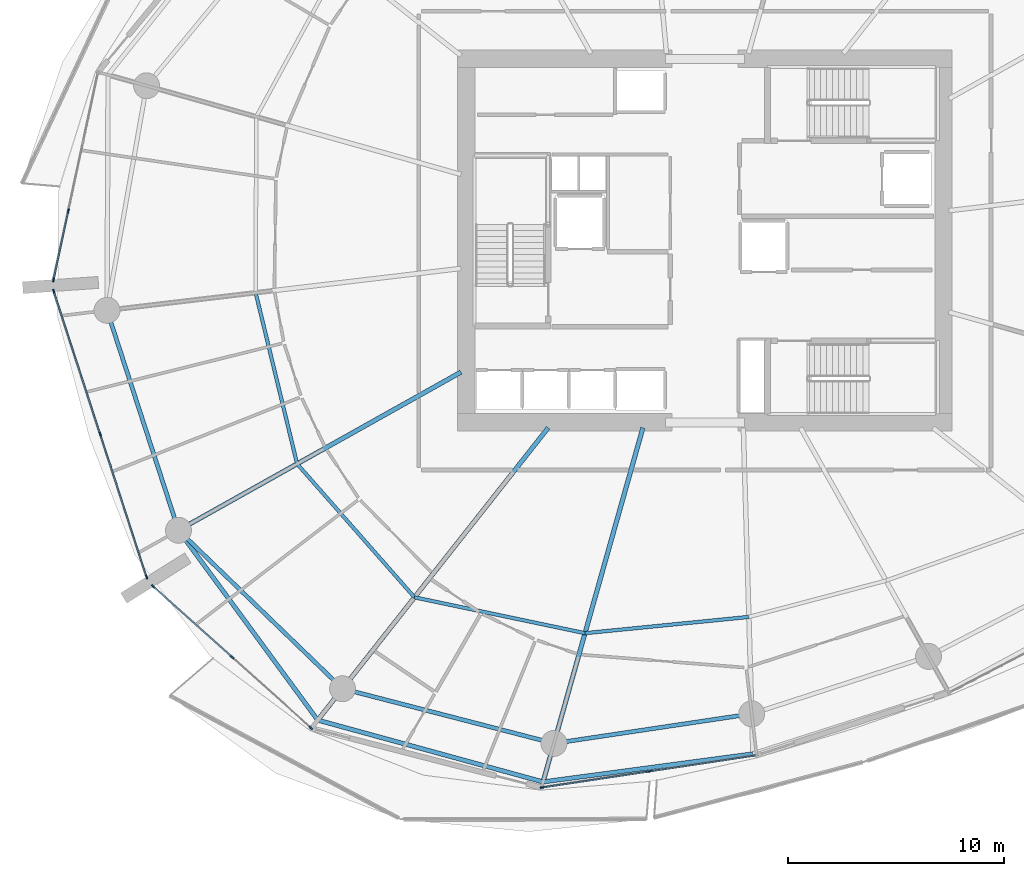
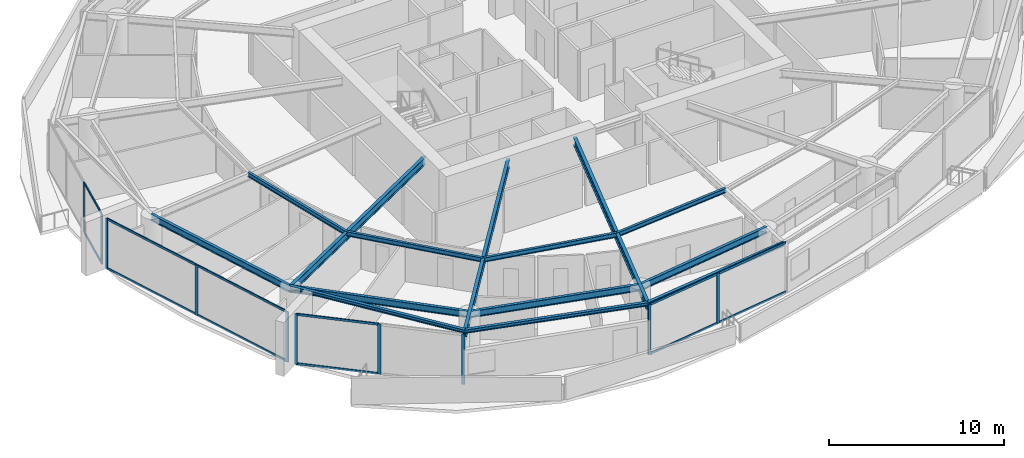
# One storey, part 5 of 22: 22 members, 14 beams, 4 elements without a shape of their own.
"""IFC4 building model written with IfcOpenShell, lengths in metres."""

from ifc_helpers import new_model, si_unit, direction, frame, origin, origin_2d, place, context, subcontext, project, spatial, rectangle, i_section, extrude, material, layer, layer_set, material_profile, profile_set, type_object, element, aggregate, save


model = new_model("IFC4")

# Units and contexts
model_context = context("Model", 3, precision=1e-05, world=origin(), true_north=direction((0.0, 1.0)))
body_context = subcontext(model_context, "Body", "Model", "MODEL_VIEW")
ifc_project = project(units=[si_unit("LENGTHUNIT", "METRE"), si_unit("AREAUNIT", "SQUARE_METRE"), si_unit("VOLUMEUNIT", "CUBIC_METRE"), si_unit("PLANEANGLEUNIT", "RADIAN"), si_unit("MASSUNIT", "GRAM", prefix="KILO")], contexts=[model_context])

# Site, building, storey
site_placement = place(None, origin())
site = spatial("IfcSite", under=ifc_project, at=site_placement, CompositionType="ELEMENT")
building_placement = place(site_placement, origin())
building = spatial("IfcBuilding", under=site, at=building_placement, Name="Kazma Halo Residences", CompositionType="ELEMENT")
storey_placement = place(building_placement, frame((0.0, 0.0, 90.14990234375)))
storey = spatial("IfcBuildingStorey", under=building, at=storey_placement, Name="L22", CompositionType="ELEMENT", Elevation=90.14990234375)

# Beams
ifc_material_1 = material(Name="Steel S355", Category="steel")
ifc_material_profile_1 = material_profile(ifc_material_1, i_section(OverallWidth=0.201904296875, OverallDepth=0.2470703125, WebThickness=0.00732421875, FlangeThickness=0.010986328125, FilletRadius=0.011962890625, at=origin_2d()), Name="W250x49.1")
ifc_profile_set_1 = profile_set([ifc_material_profile_1], Name="Steel S355")
beam_type_1 = type_object("IfcBeamType", Name="BM-BAL-CANT", PredefinedType="BEAM", material=ifc_profile_set_1)
beam_1_placement = place(storey_placement, frame((24.0966796875, 28.613525390625, 3.376708984375), z_axis=(0.59144927253, -0.806342209005, 0.0), x_axis=(0.806342209005, 0.59144927253, 0.0)))
element("IfcBeam", 1, at=beam_1_placement, inside=storey, type_object=beam_type_1, Name="L22 wave-balcony lead tie beam 09", PredefinedType="BEAM", context=body_context, shape_type="SweptSolid", body=[
    extrude(i_section(OverallWidth=0.201904296875, OverallDepth=0.2470703125, WebThickness=0.00732421875, FlangeThickness=0.010986328125, FilletRadius=0.011962890625, at=origin_2d()), origin(), (0.0, 0.0, 1.0), 10.87939453125),
])
beam_2_placement = place(storey_placement, frame((30.53125, 19.841064453125, 3.376708984375), z_axis=(0.964396617, -0.264460139, 0.0), x_axis=(0.264460139, 0.964396617, 0.0)))
element("IfcBeam", 2, at=beam_2_placement, inside=storey, type_object=beam_type_1, Name="L22 wave-balcony tie beam 10", PredefinedType="BEAM", context=body_context, shape_type="SweptSolid", body=[
    extrude(i_section(OverallWidth=0.201904296875, OverallDepth=0.2470703125, WebThickness=0.00732421875, FlangeThickness=0.010986328125, FilletRadius=0.011962890625, at=origin_2d()), origin(), (0.0, 0.0, 1.0), 10.79833984375),
])
beam_3_placement = place(storey_placement, frame((40.945068359375, 16.9853515625, 3.376708984375), z_axis=(0.991182511795, 0.13250369169, 0.0), x_axis=(-0.13250369169, 0.991182511795, 0.0)))
element("IfcBeam", 3, at=beam_3_placement, inside=storey, type_object=beam_type_1, Name="L22 wave-balcony tie beam 11", PredefinedType="BEAM", context=body_context, shape_type="SweptSolid", body=[
    extrude(i_section(OverallWidth=0.201904296875, OverallDepth=0.2470703125, WebThickness=0.00732421875, FlangeThickness=0.010986328125, FilletRadius=0.011962890625, at=origin_2d()), origin(), (0.0, 0.0, 1.0), 9.78369140625),
])
ifc_material_profile_2 = material_profile(ifc_material_1, i_section(OverallWidth=0.208984375, OverallDepth=0.532958984375, WebThickness=0.01025390625, FlangeThickness=0.015625, FilletRadius=0.01611328125, at=origin_2d()), Name="W530x92")
ifc_profile_set_2 = profile_set([ifc_material_profile_2], Name="Steel S355")
beam_type_2 = type_object("IfcBeamType", Name="BM-RAD-W530", PredefinedType="BEAM", material=ifc_profile_set_2)
beam_4_placement = place(storey_placement, frame((37.14990234375, 35.923583984375, 3.233642578125), z_axis=(-0.87249878074, -0.488616288724, 0.0), x_axis=(0.488616288724, -0.87249878074, 0.0)))
element("IfcBeam", 4, at=beam_4_placement, inside=storey, type_object=beam_type_2, Name="L22 radial floor beam 09", PredefinedType="BEAM", context=body_context, shape_type="SweptSolid", body=[
    extrude(i_section(OverallWidth=0.208984375, OverallDepth=0.532958984375, WebThickness=0.01025390625, FlangeThickness=0.015625, FilletRadius=0.01611328125, at=origin_2d()), origin(), (0.0, 0.0, 1.0), 14.960693359375),
])
beam_5_placement = place(storey_placement, frame((41.180908203125, 33.35009765625, 3.233642578125), z_axis=(-0.619093774822, -0.785317068436, 0.0), x_axis=(0.785317068436, -0.619093774822, 0.0)))
element("IfcBeam", 5, at=beam_5_placement, inside=storey, type_object=beam_type_2, Name="L22 radial floor beam 10", PredefinedType="BEAM", context=body_context, shape_type="SweptSolid", body=[
    extrude(i_section(OverallWidth=0.208984375, OverallDepth=0.532958984375, WebThickness=0.01025390625, FlangeThickness=0.015625, FilletRadius=0.01611328125, at=origin_2d()), origin(), (0.0, 0.0, 1.0), 17.201904296875),
])
beam_6_placement = place(storey_placement, frame((45.560302734375, 33.35009765625, 3.233642578125), z_axis=(-0.271434928076, -0.962456793742, 0.0), x_axis=(0.962456793742, -0.271434928076, 0.0)))
element("IfcBeam", 6, at=beam_6_placement, inside=storey, type_object=beam_type_2, Name="L22 radial floor beam 11", PredefinedType="BEAM", context=body_context, shape_type="SweptSolid", body=[
    extrude(i_section(OverallWidth=0.208984375, OverallDepth=0.532958984375, WebThickness=0.01025390625, FlangeThickness=0.015625, FilletRadius=0.01611328125, at=origin_2d()), origin(), (0.0, 0.0, 1.0), 17.003173828125),
])
ifc_material_profile_3 = material_profile(ifc_material_1, i_section(OverallWidth=0.1650390625, OverallDepth=0.31005859375, WebThickness=0.005859375, FlangeThickness=0.009765625, FilletRadius=0.011962890625, at=origin_2d()), Name="W310x38.7")
ifc_profile_set_3 = profile_set([ifc_material_profile_3], Name="Steel S355")
beam_type_3 = type_object("IfcBeamType", Name="BM-SEC-W310B", PredefinedType="JOIST", material=ifc_profile_set_3)
beam_7_placement = place(storey_placement, frame((27.6630859375, 39.593017578125, 3.34521484375), z_axis=(0.235442033286, -0.971888393264, 0.0), x_axis=(0.971888393264, 0.235442033286, 0.0)))
element("IfcBeam", 7, at=beam_7_placement, inside=storey, type_object=beam_type_3, Name="L22 circumferential floor joist 08", PredefinedType="JOIST", context=body_context, shape_type="SweptSolid", body=[
    extrude(i_section(OverallWidth=0.1650390625, OverallDepth=0.31005859375, WebThickness=0.005859375, FlangeThickness=0.009765625, FilletRadius=0.011962890625, at=origin_2d()), origin(), (0.0, 0.0, 1.0), 8.137939453125),
])
beam_8_placement = place(storey_placement, frame((29.5791015625, 31.683837890625, 3.34521484375), z_axis=(0.660379309564, -0.750932199003, 0.0), x_axis=(0.750932199003, 0.660379309564, 0.0)))
element("IfcBeam", 8, at=beam_8_placement, inside=storey, type_object=beam_type_3, Name="L22 circumferential floor joist 09", PredefinedType="JOIST", context=body_context, shape_type="SweptSolid", body=[
    extrude(i_section(OverallWidth=0.1650390625, OverallDepth=0.31005859375, WebThickness=0.005859375, FlangeThickness=0.009765625, FilletRadius=0.011962890625, at=origin_2d()), origin(), (0.0, 0.0, 1.0), 8.215087890625),
])
beam_9_placement = place(storey_placement, frame((35.004150390625, 25.514892578125, 3.34521484375), z_axis=(0.978607976751, -0.205733876255, 0.0), x_axis=(0.205733876255, 0.978607976751, 0.0)))
element("IfcBeam", 9, at=beam_9_placement, inside=storey, type_object=beam_type_3, Name="L22 circumferential floor joist 10", PredefinedType="JOIST", context=body_context, shape_type="SweptSolid", body=[
    extrude(i_section(OverallWidth=0.1650390625, OverallDepth=0.31005859375, WebThickness=0.005859375, FlangeThickness=0.009765625, FilletRadius=0.011962890625, at=origin_2d()), origin(), (0.0, 0.0, 1.0), 8.051513671875),
])
beam_10_placement = place(storey_placement, frame((42.883544921875, 23.8583984375, 3.34521484375), z_axis=(0.995106821048, 0.098804932586, 0.0), x_axis=(-0.098804932586, 0.995106821048, 0.0)))
element("IfcBeam", 10, at=beam_10_placement, inside=storey, type_object=beam_type_3, Name="L22 circumferential floor joist 11", PredefinedType="JOIST", context=body_context, shape_type="SweptSolid", body=[
    extrude(i_section(OverallWidth=0.1650390625, OverallDepth=0.31005859375, WebThickness=0.005859375, FlangeThickness=0.009765625, FilletRadius=0.011962890625, at=origin_2d()), origin(), (0.0, 0.0, 1.0), 7.610595703125),
])
ifc_material_profile_4 = material_profile(ifc_material_1, i_section(OverallWidth=0.18994140625, OverallDepth=0.45703125, WebThickness=0.009033203125, FlangeThickness=0.014404296875, FilletRadius=0.01611328125, at=origin_2d()), Name="W460x74")
ifc_profile_set_4 = profile_set([ifc_material_profile_4], Name="Steel S355")
beam_type_4 = type_object("IfcBeamType", Name="BM-SPN-W460", PredefinedType="BEAM", material=ifc_profile_set_4)
beam_11_placement = place(storey_placement, frame((20.79345703125, 38.77978515625, 3.271484375), z_axis=(0.309017385422, -0.951056389236, 0.0), x_axis=(0.951056389236, 0.309017385422, 0.0)))
element("IfcBeam", 11, at=beam_11_placement, inside=storey, type_object=beam_type_4, Name="L22 perimeter ring beam 08", PredefinedType="BEAM", context=body_context, shape_type="SweptSolid", body=[
    extrude(i_section(OverallWidth=0.18994140625, OverallDepth=0.45703125, WebThickness=0.009033203125, FlangeThickness=0.014404296875, FilletRadius=0.01611328125, at=origin_2d()), origin(), (0.0, 0.0, 1.0), 10.689453125),
])
beam_12_placement = place(storey_placement, frame((24.0966796875, 28.613525390625, 3.271484375), z_axis=(0.719336783114, -0.694661494873, 0.0), x_axis=(0.694661494873, 0.719336783114, 0.0)))
element("IfcBeam", 12, at=beam_12_placement, inside=storey, type_object=beam_type_4, Name="L22 perimeter ring beam 09", PredefinedType="BEAM", context=body_context, shape_type="SweptSolid", body=[
    extrude(i_section(OverallWidth=0.18994140625, OverallDepth=0.45703125, WebThickness=0.009033203125, FlangeThickness=0.014404296875, FilletRadius=0.01611328125, at=origin_2d()), origin(), (0.0, 0.0, 1.0), 10.537353515625),
])
beam_13_placement = place(storey_placement, frame((31.676513671875, 21.293701171875, 3.271484375), z_axis=(0.968124968683, -0.250467652626, 0.0), x_axis=(0.250467652626, 0.968124968683, 0.0)))
element("IfcBeam", 13, at=beam_13_placement, inside=storey, type_object=beam_type_4, Name="L22 perimeter ring beam 10", PredefinedType="BEAM", context=body_context, shape_type="SweptSolid", body=[
    extrude(i_section(OverallWidth=0.18994140625, OverallDepth=0.45703125, WebThickness=0.009033203125, FlangeThickness=0.014404296875, FilletRadius=0.01611328125, at=origin_2d()), origin(), (0.0, 0.0, 1.0), 10.092529296875),
])
beam_14_placement = place(storey_placement, frame((41.447265625, 18.765869140625, 3.271484375), z_axis=(0.989034176303, 0.147686824414, 0.0), x_axis=(-0.147686824414, 0.989034176303, 0.0)))
element("IfcBeam", 14, at=beam_14_placement, inside=storey, type_object=beam_type_4, Name="L22 perimeter ring beam 11", PredefinedType="BEAM", context=body_context, shape_type="SweptSolid", body=[
    extrude(i_section(OverallWidth=0.18994140625, OverallDepth=0.45703125, WebThickness=0.009033203125, FlangeThickness=0.014404296875, FilletRadius=0.01611328125, at=origin_2d()), origin(), (0.0, 0.0, 1.0), 9.242431640625),
])

# Curtain wall, members
ifc_material_2 = material(Name="Aluminium AW-6063 T6 and Triple-Silver Low-E Glass", Category="aluminium")
ifc_layer = layer(ifc_material_2, 0.199951171875)
ifc_layer_set = layer_set([ifc_layer], Name="Aluminium AW-6063 T6 and Triple-Silver Low-E Glass")
curtain_wall_type = type_object("IfcCurtainWallType", Name="CW-SYS-3", PredefinedType="NOTDEFINED", material=ifc_layer_set)
curtain_wall_1_placement = place(storey_placement, origin())
curtain_wall_1 = element("IfcCurtainWall", 15, at=curtain_wall_1_placement, inside=storey, type_object=curtain_wall_type, Name="L22 unitised curtain wall B07", PredefinedType="NOTDEFINED")
ifc_material_3 = material(Name="Aluminium AW-6063 T6", Category="aluminium")
ifc_material_profile_5 = material_profile(ifc_material_3, rectangle(XDim=0.070068359375, YDim=0.199951171875, at=origin_2d()), Name="CWM-70x200")
ifc_profile_set_5 = profile_set([ifc_material_profile_5], Name="Aluminium AW-6063 T6")
member_type_1 = type_object("IfcMemberType", Name="CW-SYS-3-MUL", PredefinedType="MULLION", material=ifc_profile_set_5)
member_1_placement = place(storey_placement, frame((19.004638671875, 43.36865234375, 0.0), z_axis=(0.0, 0.0, 1.0), x_axis=(0.977774176093, -0.209660822677, 0.0)))
member_1 = element("IfcMember", 16, at=member_1_placement, type_object=member_type_1, Name="CWS-3 mullion 3", PredefinedType="MULLION", context=body_context, shape_type="SweptSolid", body=[
    extrude(rectangle(XDim=0.070068359375, YDim=0.199951171875, at=origin_2d()), origin(), (0.0, 0.0, 1.0), 3.5),
])
member_2_placement = place(storey_placement, frame((18.323486328125, 40.192626953125, 0.0), z_axis=(0.0, 0.0, 1.0), x_axis=(0.977774176093, -0.209660822677, 0.0)))
member_2 = element("IfcMember", 17, at=member_2_placement, type_object=member_type_1, Name="CWS-3 mullion 4", PredefinedType="MULLION", context=body_context, shape_type="SweptSolid", body=[
    extrude(rectangle(XDim=0.070068359375, YDim=0.199951171875, at=origin_2d()), origin(), (0.0, 0.0, 1.0), 3.5),
])

curtain_wall_2_placement = place(storey_placement, origin())
curtain_wall_2 = element("IfcCurtainWall", 18, at=curtain_wall_2_placement, inside=storey, type_object=curtain_wall_type, Name="L22 unitised curtain wall B08", PredefinedType="NOTDEFINED")
member_3_placement = place(storey_placement, frame((18.334716796875, 39.6572265625, 0.0), z_axis=(0.0, 0.0, 1.0), x_axis=(0.951057722508, 0.309013282008, 0.0)))
member_3 = element("IfcMember", 19, at=member_3_placement, type_object=member_type_1, Name="CWS-3 mullion 1", PredefinedType="MULLION", context=body_context, shape_type="SweptSolid", body=[
    extrude(rectangle(XDim=0.070068359375, YDim=0.199951171875, at=origin_2d()), origin(), (0.0, 0.0, 1.0), 3.5),
])
member_4_placement = place(storey_placement, frame((20.47900390625, 33.057861328125, 0.0), z_axis=(0.0, 0.0, 1.0), x_axis=(0.951057722508, 0.309013282008, 0.0)))
member_4 = element("IfcMember", 20, at=member_4_placement, type_object=member_type_1, Name="CWS-3 mullion 2", PredefinedType="MULLION", context=body_context, shape_type="SweptSolid", body=[
    extrude(rectangle(XDim=0.070068359375, YDim=0.199951171875, at=origin_2d()), origin(), (0.0, 0.0, 1.0), 3.5),
])
member_5_placement = place(storey_placement, frame((22.623291015625, 26.45849609375, 0.0), z_axis=(0.0, 0.0, 1.0), x_axis=(0.951057722508, 0.309013282008, 0.0)))
member_5 = element("IfcMember", 21, at=member_5_placement, type_object=member_type_1, Name="CWS-3 mullion 3", PredefinedType="MULLION", context=body_context, shape_type="SweptSolid", body=[
    extrude(rectangle(XDim=0.070068359375, YDim=0.199951171875, at=origin_2d()), origin(), (0.0, 0.0, 1.0), 3.5),
])

curtain_wall_3_placement = place(storey_placement, origin())
curtain_wall_3 = element("IfcCurtainWall", 22, at=curtain_wall_3_placement, inside=storey, type_object=curtain_wall_type, Name="L22 unitised curtain wall B09", PredefinedType="NOTDEFINED")
member_6_placement = place(storey_placement, frame((22.928955078125, 26.018798828125, 0.0), z_axis=(0.0, 0.0, 1.0), x_axis=(0.667794957375, 0.744345279359, 0.0)))
member_6 = element("IfcMember", 23, at=member_6_placement, type_object=member_type_1, Name="CWS-3 mullion 1", PredefinedType="MULLION", context=body_context, shape_type="SweptSolid", body=[
    extrude(rectangle(XDim=0.070068359375, YDim=0.199951171875, at=origin_2d()), origin(), (0.0, 0.0, 1.0), 3.5),
])
member_7_placement = place(storey_placement, frame((26.568603515625, 22.75341796875, 0.0), z_axis=(0.0, 0.0, 1.0), x_axis=(0.667794957375, 0.744345279359, 0.0)))
member_7 = element("IfcMember", 24, at=member_7_placement, type_object=member_type_1, Name="CWS-3 mullion 2", PredefinedType="MULLION", context=body_context, shape_type="SweptSolid", body=[
    extrude(rectangle(XDim=0.070068359375, YDim=0.199951171875, at=origin_2d()), origin(), (0.0, 0.0, 1.0), 3.5),
])
member_8_placement = place(storey_placement, frame((30.208251953125, 19.48779296875, 0.0), z_axis=(0.0, 0.0, 1.0), x_axis=(0.667794957375, 0.744345279359, 0.0)))
member_8 = element("IfcMember", 25, at=member_8_placement, type_object=member_type_1, Name="CWS-3 mullion 3", PredefinedType="MULLION", context=body_context, shape_type="SweptSolid", body=[
    extrude(rectangle(XDim=0.070068359375, YDim=0.199951171875, at=origin_2d()), origin(), (0.0, 0.0, 1.0), 3.5),
])

curtain_wall_4_placement = place(storey_placement, origin())
curtain_wall_4 = element("IfcCurtainWall", 26, at=curtain_wall_4_placement, inside=storey, type_object=curtain_wall_type, Name="L22 unitised curtain wall B11", PredefinedType="NOTDEFINED")
member_9_placement = place(storey_placement, frame((40.90576171875, 16.728271484375, 0.0), z_axis=(0.0, 0.0, 1.0), x_axis=(-0.148717330409, 0.988879747814, 0.0)))
member_9 = element("IfcMember", 27, at=member_9_placement, type_object=member_type_1, Name="CWS-3 mullion 1", PredefinedType="MULLION", context=body_context, shape_type="SweptSolid", body=[
    extrude(rectangle(XDim=0.070068359375, YDim=0.199951171875, at=origin_2d()), origin(), (0.0, 0.0, 1.0), 3.5),
])
member_10_placement = place(storey_placement, frame((45.843017578125, 17.470703125, 0.0), z_axis=(0.0, 0.0, 1.0), x_axis=(-0.148717330409, 0.988879747814, 0.0)))
member_10 = element("IfcMember", 28, at=member_10_placement, type_object=member_type_1, Name="CWS-3 mullion 2", PredefinedType="MULLION", context=body_context, shape_type="SweptSolid", body=[
    extrude(rectangle(XDim=0.070068359375, YDim=0.199951171875, at=origin_2d()), origin(), (0.0, 0.0, 1.0), 3.5),
])

# Member
ifc_material_profile_6 = material_profile(ifc_material_3, rectangle(XDim=0.070068359375, YDim=0.14990234375, at=origin_2d()), Name="CWT-70x150")
ifc_profile_set_6 = profile_set([ifc_material_profile_6], Name="Aluminium AW-6063 T6")
member_type_2 = type_object("IfcMemberType", Name="CW-SYS-3-TRN", PredefinedType="USERDEFINED", material=ifc_profile_set_6)
member_11_placement = place(storey_placement, frame((18.997314453125, 43.33447265625, 0.03515625), z_axis=(-0.209717949017, -0.977761924939, 0.0), x_axis=(0.977761924939, -0.209717949017, 0.0)))
member_11 = element("IfcMember", 29, at=member_11_placement, type_object=member_type_2, Name="CWS-3 transom 3.1", ObjectType="TRANSOM", PredefinedType="USERDEFINED", context=body_context, shape_type="SweptSolid", body=[
    extrude(rectangle(XDim=0.070068359375, YDim=0.14990234375, at=origin_2d()), origin(), (0.0, 0.0, 1.0), 3.177978515625),
])

member_12_placement = place(storey_placement, frame((18.997314453125, 43.33447265625, 3.465087890625), z_axis=(-0.209717949017, -0.977761924939, 0.0), x_axis=(0.977761924939, -0.209717949017, 0.0)))
member_12 = element("IfcMember", 30, at=member_12_placement, type_object=member_type_2, Name="CWS-3 transom 3.2", ObjectType="TRANSOM", PredefinedType="USERDEFINED", context=body_context, shape_type="SweptSolid", body=[
    extrude(rectangle(XDim=0.070068359375, YDim=0.14990234375, at=origin_2d()), origin(), (0.0, 0.0, 1.0), 3.177978515625),
])

aggregate(curtain_wall_1, [member_1, member_2, member_11, member_12])

member_13_placement = place(storey_placement, frame((18.345458984375, 39.6240234375, 0.03515625), z_axis=(0.309000079699, -0.95106201204, 0.0), x_axis=(0.95106201204, 0.309000079699, 0.0)))
member_13 = element("IfcMember", 31, at=member_13_placement, type_object=member_type_2, Name="CWS-3 transom 1.1", ObjectType="TRANSOM", PredefinedType="USERDEFINED", context=body_context, shape_type="SweptSolid", body=[
    extrude(rectangle(XDim=0.070068359375, YDim=0.14990234375, at=origin_2d()), origin(), (0.0, 0.0, 1.0), 6.869140625),
])

member_14_placement = place(storey_placement, frame((18.345458984375, 39.6240234375, 3.465087890625), z_axis=(0.309000079699, -0.95106201204, 0.0), x_axis=(0.95106201204, 0.309000079699, 0.0)))
member_14 = element("IfcMember", 32, at=member_14_placement, type_object=member_type_2, Name="CWS-3 transom 1.2", ObjectType="TRANSOM", PredefinedType="USERDEFINED", context=body_context, shape_type="SweptSolid", body=[
    extrude(rectangle(XDim=0.070068359375, YDim=0.14990234375, at=origin_2d()), origin(), (0.0, 0.0, 1.0), 6.869140625),
])

member_15_placement = place(storey_placement, frame((20.48974609375, 33.024658203125, 0.03515625), z_axis=(0.309000079699, -0.95106201204, 0.0), x_axis=(0.95106201204, 0.309000079699, 0.0)))
member_15 = element("IfcMember", 33, at=member_15_placement, type_object=member_type_2, Name="CWS-3 transom 2.1", ObjectType="TRANSOM", PredefinedType="USERDEFINED", context=body_context, shape_type="SweptSolid", body=[
    extrude(rectangle(XDim=0.070068359375, YDim=0.14990234375, at=origin_2d()), origin(), (0.0, 0.0, 1.0), 6.869140625),
])

member_16_placement = place(storey_placement, frame((20.48974609375, 33.024658203125, 3.465087890625), z_axis=(0.309000079699, -0.95106201204, 0.0), x_axis=(0.95106201204, 0.309000079699, 0.0)))
member_16 = element("IfcMember", 34, at=member_16_placement, type_object=member_type_2, Name="CWS-3 transom 2.2", ObjectType="TRANSOM", PredefinedType="USERDEFINED", context=body_context, shape_type="SweptSolid", body=[
    extrude(rectangle(XDim=0.070068359375, YDim=0.14990234375, at=origin_2d()), origin(), (0.0, 0.0, 1.0), 6.869140625),
])

aggregate(curtain_wall_2, [member_3, member_4, member_5, member_13, member_14, member_15, member_16])

member_17_placement = place(storey_placement, frame((22.954833984375, 25.995361328125, 0.03515625), z_axis=(0.744338471453, -0.667802545603, 0.0), x_axis=(0.667802545603, 0.744338471453, 0.0)))
member_17 = element("IfcMember", 35, at=member_17_placement, type_object=member_type_2, Name="CWS-3 transom 1.1", ObjectType="TRANSOM", PredefinedType="USERDEFINED", context=body_context, shape_type="SweptSolid", body=[
    extrude(rectangle(XDim=0.070068359375, YDim=0.14990234375, at=origin_2d()), origin(), (0.0, 0.0, 1.0), 4.81982421875),
])

member_18_placement = place(storey_placement, frame((22.954833984375, 25.995361328125, 3.465087890625), z_axis=(0.744338471453, -0.667802545603, 0.0), x_axis=(0.667802545603, 0.744338471453, 0.0)))
member_18 = element("IfcMember", 36, at=member_18_placement, type_object=member_type_2, Name="CWS-3 transom 1.2", ObjectType="TRANSOM", PredefinedType="USERDEFINED", context=body_context, shape_type="SweptSolid", body=[
    extrude(rectangle(XDim=0.070068359375, YDim=0.14990234375, at=origin_2d()), origin(), (0.0, 0.0, 1.0), 4.81982421875),
])

aggregate(curtain_wall_3, [member_6, member_7, member_8, member_17, member_18])

member_19_placement = place(storey_placement, frame((40.9404296875, 16.7333984375, 0.03515625), z_axis=(0.988876977991, 0.148735746878, 0.0), x_axis=(-0.148735746878, 0.988876977991, 0.0)))
member_19 = element("IfcMember", 37, at=member_19_placement, type_object=member_type_2, Name="CWS-3 transom 1.1", ObjectType="TRANSOM", PredefinedType="USERDEFINED", context=body_context, shape_type="SweptSolid", body=[
    extrude(rectangle(XDim=0.070068359375, YDim=0.14990234375, at=origin_2d()), origin(), (0.0, 0.0, 1.0), 4.922607421875),
])

member_20_placement = place(storey_placement, frame((40.9404296875, 16.7333984375, 3.465087890625), z_axis=(0.988876977991, 0.148735746878, 0.0), x_axis=(-0.148735746878, 0.988876977991, 0.0)))
member_20 = element("IfcMember", 38, at=member_20_placement, type_object=member_type_2, Name="CWS-3 transom 1.2", ObjectType="TRANSOM", PredefinedType="USERDEFINED", context=body_context, shape_type="SweptSolid", body=[
    extrude(rectangle(XDim=0.070068359375, YDim=0.14990234375, at=origin_2d()), origin(), (0.0, 0.0, 1.0), 4.922607421875),
])

member_21_placement = place(storey_placement, frame((45.87744140625, 17.47607421875, 0.03515625), z_axis=(0.988884271372, 0.148687248386, 0.0), x_axis=(-0.148687248386, 0.988884271372, 0.0)))
member_21 = element("IfcMember", 39, at=member_21_placement, type_object=member_type_2, Name="CWS-3 transom 2.1", ObjectType="TRANSOM", PredefinedType="USERDEFINED", context=body_context, shape_type="SweptSolid", body=[
    extrude(rectangle(XDim=0.070068359375, YDim=0.14990234375, at=origin_2d()), origin(), (0.0, 0.0, 1.0), 4.922607421875),
])

member_22_placement = place(storey_placement, frame((45.87744140625, 17.47607421875, 3.465087890625), z_axis=(0.988884271372, 0.148687248386, 0.0), x_axis=(-0.148687248386, 0.988884271372, 0.0)))
member_22 = element("IfcMember", 40, at=member_22_placement, type_object=member_type_2, Name="CWS-3 transom 2.2", ObjectType="TRANSOM", PredefinedType="USERDEFINED", context=body_context, shape_type="SweptSolid", body=[
    extrude(rectangle(XDim=0.070068359375, YDim=0.14990234375, at=origin_2d()), origin(), (0.0, 0.0, 1.0), 4.922607421875),
])

aggregate(curtain_wall_4, [member_9, member_10, member_19, member_20, member_21, member_22])

save(model, "model.ifc")
